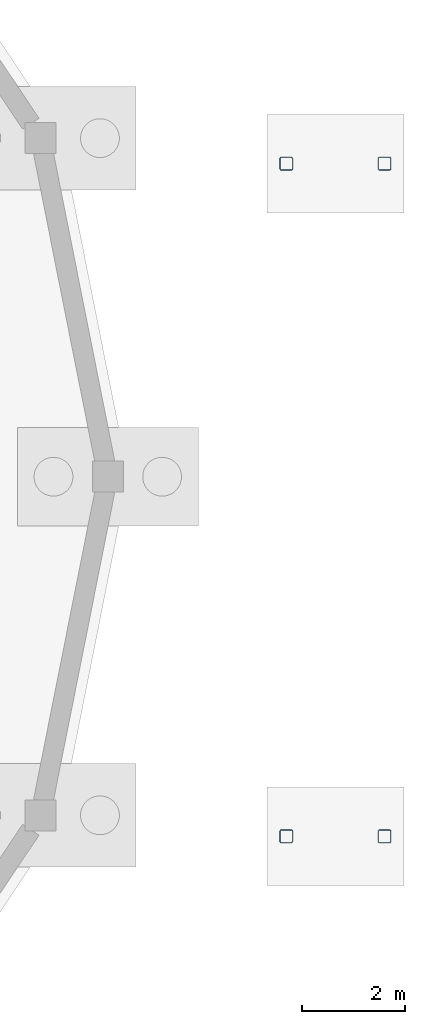
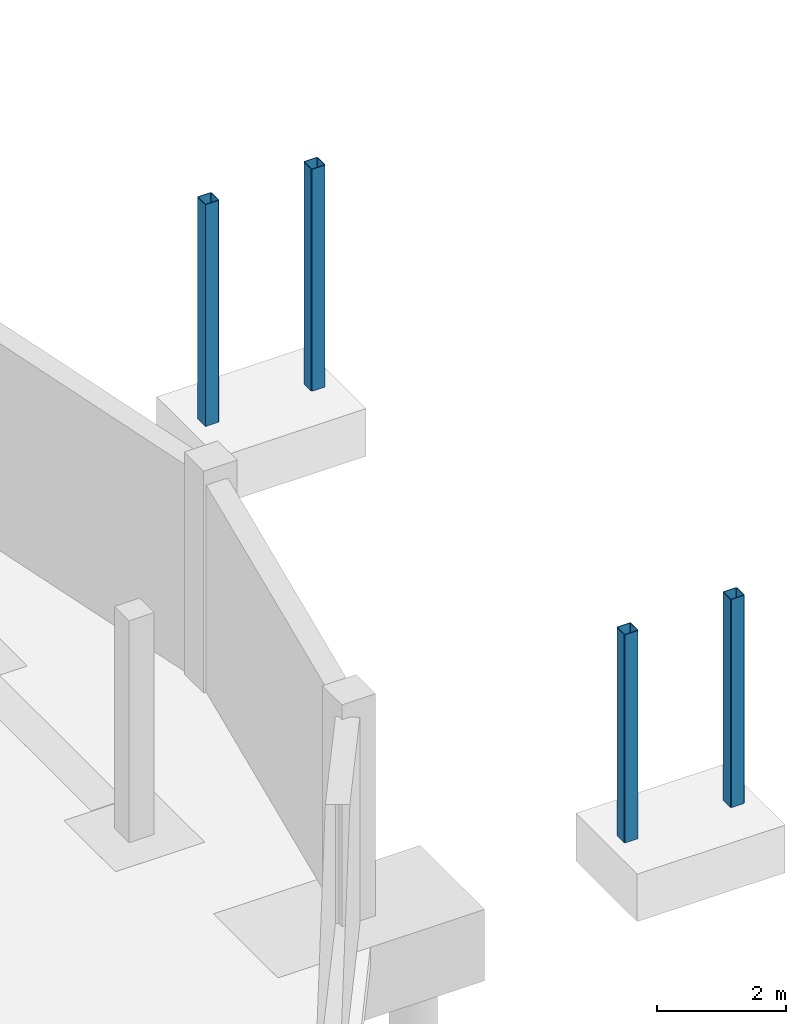
# One storey, part 22 of 43: 4 columns.
"""IFC4 building model written with IfcOpenShell, lengths in metres."""

from ifc_helpers import new_model, si_unit, direction, frame, origin, origin_2d, place, context, subcontext, project, spatial, hollow_rectangle, extrude, material, material_profile, profile_set, type_object, element, save


model = new_model("IFC4")

# Units and contexts
model_context = context("Model", 3, precision=1e-05, world=origin(), true_north=direction((0.0, 1.0)))
body_context = subcontext(model_context, "Body", "Model", "MODEL_VIEW")
ifc_project = project(units=[si_unit("LENGTHUNIT", "METRE"), si_unit("AREAUNIT", "SQUARE_METRE"), si_unit("VOLUMEUNIT", "CUBIC_METRE"), si_unit("PLANEANGLEUNIT", "RADIAN"), si_unit("MASSUNIT", "GRAM", prefix="KILO")], contexts=[model_context])

# Site, building, storey
site_placement = place(None, origin())
site = spatial("IfcSite", under=ifc_project, at=site_placement, CompositionType="ELEMENT")
building_placement = place(site_placement, origin())
building = spatial("IfcBuilding", under=site, at=building_placement, Name="Vespera Passage Community Centre", CompositionType="ELEMENT")
storey_placement = place(building_placement, frame((0.0, 0.0, -4.199951171875)))
storey = spatial("IfcBuildingStorey", under=building, at=storey_placement, Name="B1", CompositionType="ELEMENT", Elevation=-4.199951171875)

# Columns
ifc_material = material(Name="Steel ASTM A500 Grade C", Category="steel")
ifc_material_profile = material_profile(ifc_material, hollow_rectangle(XDim=0.25390625, YDim=0.25390625, WallThickness=0.01171875, InnerFilletRadius=0.01171875, OuterFilletRadius=0.023681640625, at=origin_2d()), Name="HSS254X254X12.7")
ifc_profile_set = profile_set([ifc_material_profile], Name="Steel ASTM A500 Grade C")
column_type = type_object("IfcColumnType", Name="COL-HSS254E", PredefinedType="COLUMN", material=ifc_profile_set)
for number, where, z_axis, x_axis, name in (
    (1, (161.550048828125, 18.050048828125, 0.0), (0.0, 0.0, 1.0), (1.0, 0.0, 0.0), "B1 Column RB1-P00-1"),
    (2, (163.449951171875, 18.050048828125, 0.0), (0.0, 0.0, 1.0), (1.0, 0.0, 0.0), "B1 Column RB1-P00-2"),
):
    element("IfcColumn", number, at=place(storey_placement, frame(where, z_axis=z_axis, x_axis=x_axis)), inside=storey, type_object=column_type, Name=name, PredefinedType="COLUMN", context=body_context, shape_type="SweptSolid", body=[
        extrude(hollow_rectangle(XDim=0.25390625, YDim=0.25390625, WallThickness=0.01171875, InnerFilletRadius=0.01171875, OuterFilletRadius=0.023681640625, at=origin_2d()), origin(), (0.0, 0.0, 1.0), 3.93994140625),
    ])
for number, where, z_axis, x_axis, name in (
    (3, (161.550048828125, 31.050048828125, 0.0), (0.0, 0.0, 1.0), (1.0, 0.0, 0.0), "B1 Column RB1-P01-1"),
    (4, (163.449951171875, 31.050048828125, 0.0), (0.0, 0.0, 1.0), (1.0, 0.0, 0.0), "B1 Column RB1-P01-2"),
):
    element("IfcColumn", number, at=place(storey_placement, frame(where, z_axis=z_axis, x_axis=x_axis)), inside=storey, type_object=column_type, Name=name, PredefinedType="COLUMN", context=body_context, shape_type="SweptSolid", body=[
        extrude(hollow_rectangle(XDim=0.25390625, YDim=0.25390625, WallThickness=0.01171875, InnerFilletRadius=0.01171875, OuterFilletRadius=0.023681640625, at=origin_2d()), origin(), (0.0, 0.0, 1.0), 4.199951171875),
    ])

save(model, "model.ifc")
